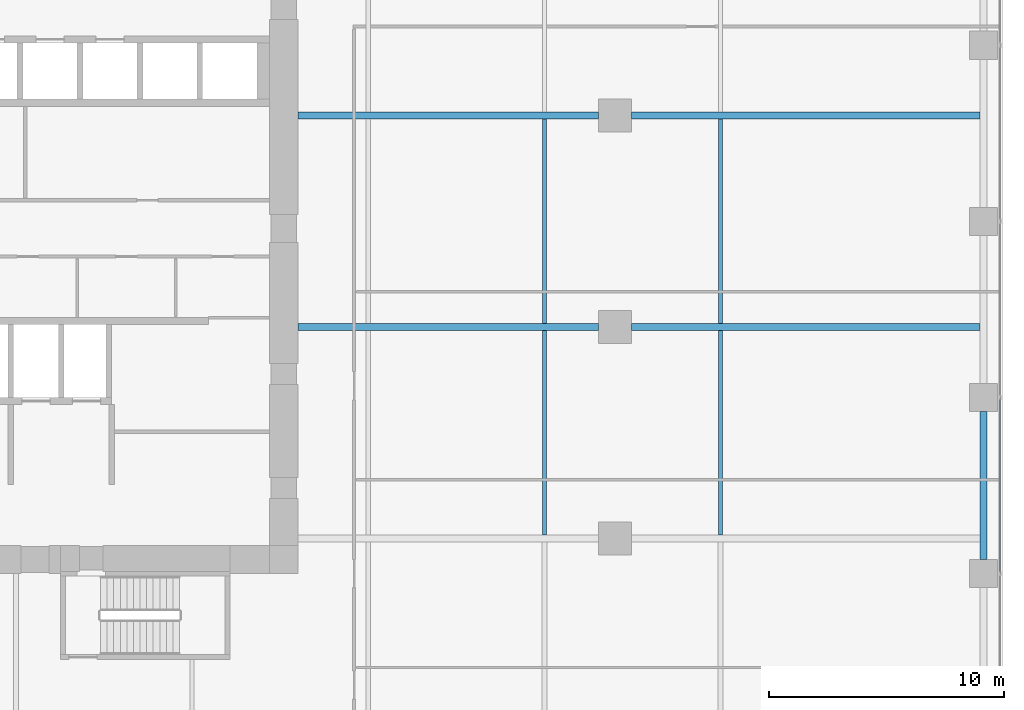
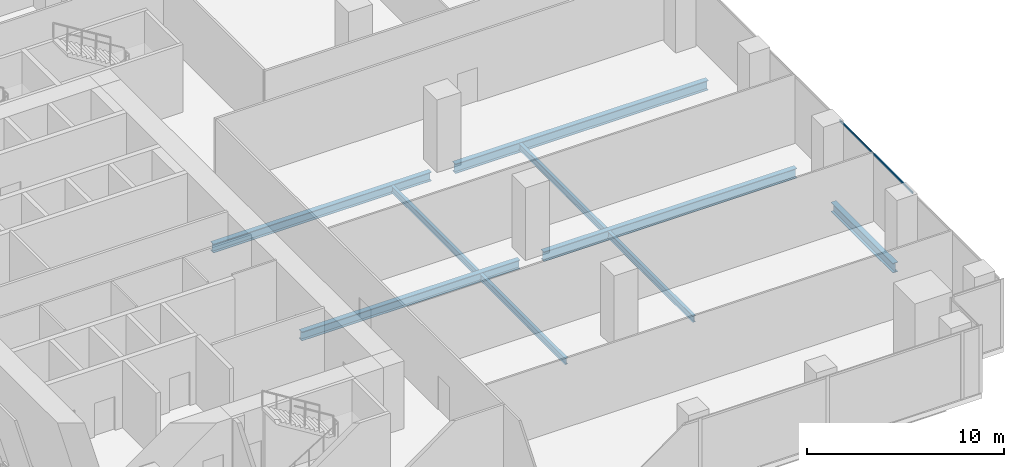
# One storey, part 10 of 33: 9 beams, 1 member, 1 element without a shape of its own.
"""IFC4 building model written with IfcOpenShell, lengths in metres."""

from ifc_helpers import new_model, si_unit, direction, frame, origin, origin_2d, place, context, subcontext, project, spatial, hollow_rectangle, i_section, extrude, source, transform, mapped, material, material_profile, profile_set, type_object, element, aggregate, save


model = new_model("IFC4")

# Units and contexts
model_context = context("Model", 3, precision=1e-05, world=origin(), true_north=direction((0.0, 1.0)))
body_context = subcontext(model_context, "Body", "Model", "MODEL_VIEW")
ifc_project = project(units=[si_unit("LENGTHUNIT", "METRE"), si_unit("AREAUNIT", "SQUARE_METRE"), si_unit("VOLUMEUNIT", "CUBIC_METRE"), si_unit("PLANEANGLEUNIT", "RADIAN"), si_unit("MASSUNIT", "GRAM", prefix="KILO")], contexts=[model_context])

# Site, building, storey
site_placement = place(None, origin())
site = spatial("IfcSite", under=ifc_project, at=site_placement, CompositionType="ELEMENT")
building_placement = place(site_placement, origin())
building = spatial("IfcBuilding", under=site, at=building_placement, Name="Khomas Fold Tower", CompositionType="ELEMENT")
storey_placement = place(building_placement, frame((0.0, 0.0, 91.5)))
storey = spatial("IfcBuildingStorey", under=building, at=storey_placement, Name="L19", CompositionType="ELEMENT", Elevation=91.5)

# Beams
ifc_material_1 = material(Name="Steel S355", Category="steel")
ifc_material_profile_1 = material_profile(ifc_material_1, i_section(OverallWidth=0.300048828125, OverallDepth=0.550048828125, WebThickness=0.014892578125, FlangeThickness=0.029052734375, at=origin_2d()), Name="HE 550 B")
ifc_profile_set_1 = profile_set([ifc_material_profile_1], Name="Steel S355")
beam_type_1 = type_object("IfcBeamType", Name="HE 550 B beam GB4", PredefinedType="BEAM", material=ifc_profile_set_1)
shared_shape_1 = source(origin(), body_context, "Body", "SweptSolid", [
    extrude(i_section(OverallWidth=0.300048828125, OverallDepth=0.550048828125, WebThickness=0.014892578125, FlangeThickness=0.029052734375, at=origin_2d()), origin(), (0.0, 0.0, 1.0), 12.800048828125),
])
for number, where, z_axis, x_axis, name in (
    (1, (24.0, 22.5, -0.574951171875), (1.0, 0.0, 0.0), (0.0, 1.0, 0.0), "GB4"),
    (2, (24.0, 31.5, -0.574951171875), (1.0, 0.0, 0.0), (0.0, 1.0, 0.0), "GB4"),
):
    element("IfcBeam", number, at=place(storey_placement, frame(where, z_axis=z_axis, x_axis=x_axis)), inside=storey, type_object=beam_type_1, Name=name, PredefinedType="BEAM", context=body_context, shape_type="MappedRepresentation", body=[
        mapped(shared_shape_1, transform((0.0, 0.0, 0.0))),
    ])
ifc_material_2 = material(Name="Steel S355", Category="steel")
ifc_material_profile_2 = material_profile(ifc_material_2, i_section(OverallWidth=0.179931640625, OverallDepth=0.39990234375, WebThickness=0.008544921875, FlangeThickness=0.013427734375, at=origin_2d()), Name="IPE 400")
ifc_profile_set_2 = profile_set([ifc_material_profile_2], Name="Steel S355")
beam_type_2 = type_object("IfcBeamType", Name="IPE 400 beam JB3", PredefinedType="BEAM", material=ifc_profile_set_2)
shared_shape_2 = source(origin(), body_context, "Body", "SweptSolid", [
    extrude(i_section(OverallWidth=0.179931640625, OverallDepth=0.39990234375, WebThickness=0.008544921875, FlangeThickness=0.013427734375, at=origin_2d()), origin(), (0.0, 0.0, 1.0), 8.7001953125),
])
for number, where, z_axis, x_axis, name in (
    (3, (34.5, 13.64990234375, -0.5), (0.0, 1.0, 0.0), (-1.0, 0.0, 0.0), "JB3"),
    (4, (34.5, 22.64990234375, -0.5), (0.0, 1.0, 0.0), (-1.0, 0.0, 0.0), "JB3"),
    (5, (42.0, 13.64990234375, -0.5), (0.0, 1.0, 0.0), (-1.0, 0.0, 0.0), "JB3"),
    (6, (42.0, 22.64990234375, -0.5), (0.0, 1.0, 0.0), (-1.0, 0.0, 0.0), "JB3"),
):
    element("IfcBeam", number, at=place(storey_placement, frame(where, z_axis=z_axis, x_axis=x_axis)), inside=storey, type_object=beam_type_2, Name=name, PredefinedType="BEAM", context=body_context, shape_type="MappedRepresentation", body=[
        mapped(shared_shape_2, transform((0.0, 0.0, 0.0))),
    ])
ifc_material_3 = material(Name="Steel S355", Category="steel")
ifc_material_profile_3 = material_profile(ifc_material_3, i_section(OverallWidth=0.300048828125, OverallDepth=0.60009765625, WebThickness=0.015380859375, FlangeThickness=0.030029296875, at=origin_2d()), Name="HE 600 B")
ifc_profile_set_3 = profile_set([ifc_material_profile_3], Name="Steel S355")
beam_type_3 = type_object("IfcBeamType", Name="HE 600 B spandrel SB1", PredefinedType="SPANDREL", material=ifc_profile_set_3)
shared_shape_3 = source(origin(), body_context, "Body", "SweptSolid", [
    extrude(i_section(OverallWidth=0.300048828125, OverallDepth=0.60009765625, WebThickness=0.015380859375, FlangeThickness=0.030029296875, at=origin_2d()), origin(), (0.0, 0.0, 1.0), 6.2998046875),
])
beam_placement = place(storey_placement, frame((53.199951171875, 12.60009765625, -0.60009765625), z_axis=(0.0, 1.0, 0.0), x_axis=(-1.0, 0.0, 0.0)))
element("IfcBeam", 7, at=beam_placement, inside=storey, type_object=beam_type_3, Name="SB1", PredefinedType="SPANDREL", context=body_context, shape_type="MappedRepresentation", body=[
    mapped(shared_shape_3, transform((0.0, 0.0, 0.0))),
])
ifc_material_4 = material(Name="Steel S355", Category="steel")
ifc_material_profile_4 = material_profile(ifc_material_4, i_section(OverallWidth=0.300048828125, OverallDepth=0.60009765625, WebThickness=0.015380859375, FlangeThickness=0.030029296875, at=origin_2d()), Name="HE 600 B")
ifc_profile_set_4 = profile_set([ifc_material_profile_4], Name="Steel S355")
beam_type_4 = type_object("IfcBeamType", Name="HE 600 B beam GB5", PredefinedType="BEAM", material=ifc_profile_set_4)
shared_shape_4 = source(origin(), body_context, "Body", "SweptSolid", [
    extrude(i_section(OverallWidth=0.300048828125, OverallDepth=0.60009765625, WebThickness=0.015380859375, FlangeThickness=0.030029296875, at=origin_2d()), origin(), (0.0, 0.0, 1.0), 14.85009765625),
])
for number, where, z_axis, x_axis, name in (
    (8, (38.199951171875, 22.5, -0.60009765625), (1.0, 0.0, 0.0), (0.0, 1.0, 0.0), "GB5"),
    (9, (38.199951171875, 31.5, -0.60009765625), (1.0, 0.0, 0.0), (0.0, 1.0, 0.0), "GB5"),
):
    element("IfcBeam", number, at=place(storey_placement, frame(where, z_axis=z_axis, x_axis=x_axis)), inside=storey, type_object=beam_type_4, Name=name, PredefinedType="BEAM", context=body_context, shape_type="MappedRepresentation", body=[
        mapped(shared_shape_4, transform((0.0, 0.0, 0.0))),
    ])

# Curtain wall, member
ifc_material_5 = material(Name="Aluminium framed double glazing", Category="aluminium")
curtain_wall_type = type_object("IfcCurtainWallType", Name="SK-Unitised clear-glass wall, growing floors CW1", PredefinedType="NOTDEFINED", material=ifc_material_5)
curtain_wall_placement = place(storey_placement, origin())
curtain_wall = element("IfcCurtainWall", 10, at=curtain_wall_placement, inside=storey, type_object=curtain_wall_type, Name="CW1 run L19 03-0", PredefinedType="NOTDEFINED")
ifc_material_6 = material(Name="Aluminium", Category="aluminium")
ifc_material_profile_5 = material_profile(ifc_material_6, hollow_rectangle(XDim=0.06005859375, YDim=0.1201171875, WallThickness=0.00390625, at=origin_2d()), Name="SK-Unitised clear-glass wall, growing floors transom CW1-T")
ifc_profile_set_5 = profile_set([ifc_material_profile_5], Name="Aluminium")
member_type = type_object("IfcMemberType", Name="SK-Unitised clear-glass wall, growing floors transom CW1-T", PredefinedType="USERDEFINED", material=ifc_profile_set_5)
shared_shape_5 = source(origin(), body_context, "Body", "SweptSolid", [
    extrude(hollow_rectangle(XDim=0.06005859375, YDim=0.1201171875, WallThickness=0.00390625, at=origin_2d()), origin(), (0.0, 0.0, 1.0), 7.43994140625),
])
member_placement = place(storey_placement, frame((53.89990234375, 12.030029296875, 4.139892578125), z_axis=(0.0, 1.0, 0.0), x_axis=(-1.0, 0.0, 0.0)))
member = element("IfcMember", 11, at=member_placement, type_object=member_type, Name="CW1 transom 3", ObjectType="TRANSOM", PredefinedType="USERDEFINED", context=body_context, shape_type="MappedRepresentation", body=[
    mapped(shared_shape_5, transform((0.0, 0.0, 0.0))),
])
aggregate(curtain_wall, [member])

save(model, "model.ifc")
